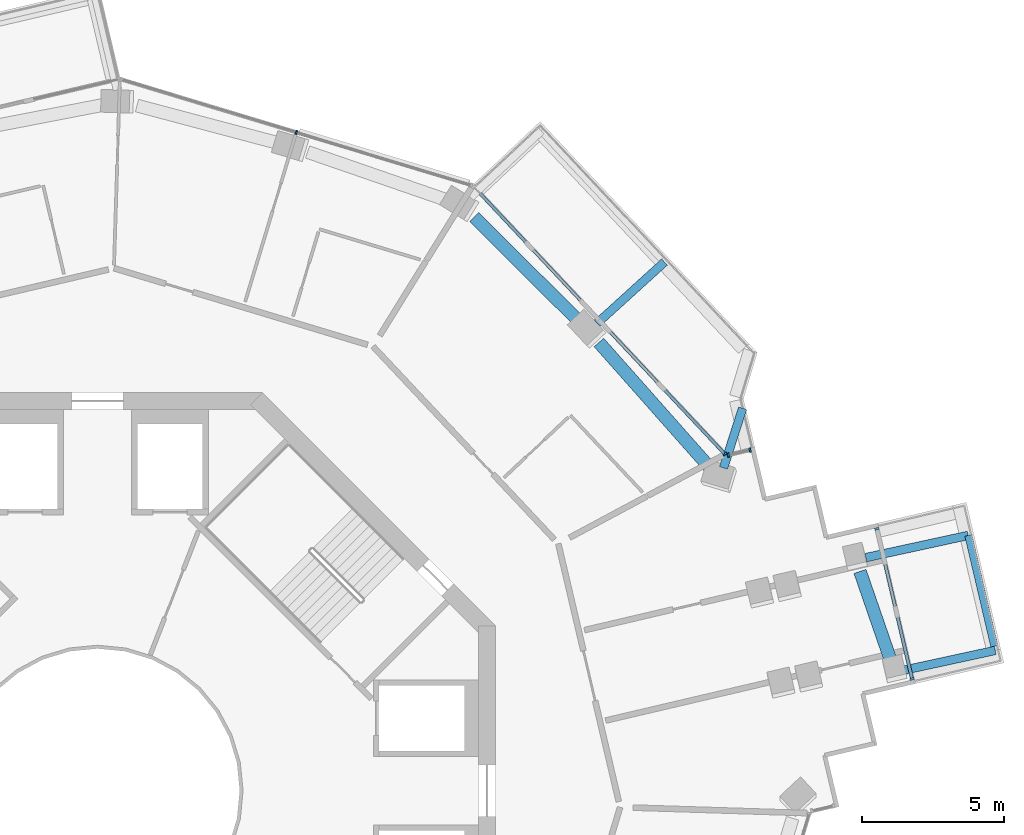
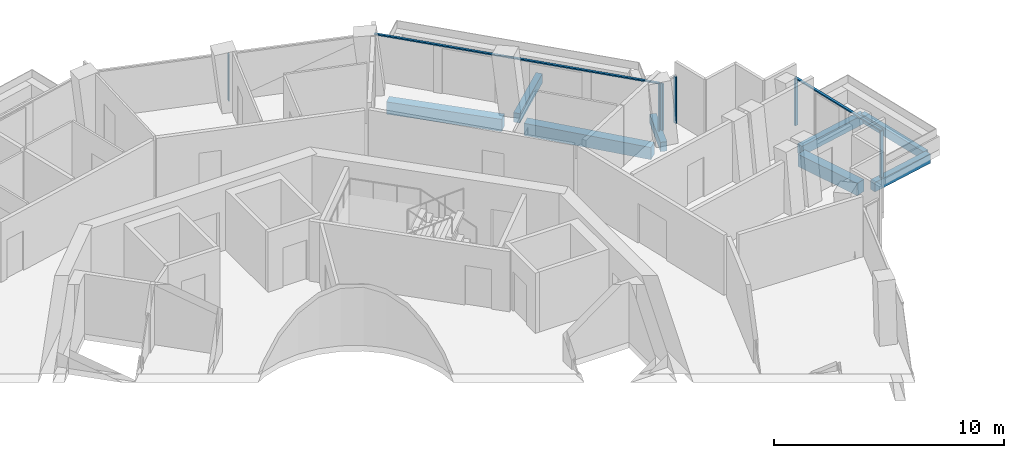
# One storey, part 9 of 24: 8 beams, 8 members, 4 elements without a shape of their own.
"""IFC4 building model written with IfcOpenShell, lengths in metres."""

from ifc_helpers import new_model, si_unit, direction, frame, origin, origin_2d, place, context, subcontext, project, spatial, rectangle, extrude, material, layer, layer_set, material_profile, profile_set, type_object, element, aggregate, save


model = new_model("IFC4")

# Units and contexts
model_context = context("Model", 3, precision=1e-05, world=origin(), true_north=direction((0.0, 1.0)))
body_context = subcontext(model_context, "Body", "Model", "MODEL_VIEW")
ifc_project = project(units=[si_unit("LENGTHUNIT", "METRE"), si_unit("AREAUNIT", "SQUARE_METRE"), si_unit("VOLUMEUNIT", "CUBIC_METRE"), si_unit("PLANEANGLEUNIT", "RADIAN"), si_unit("MASSUNIT", "GRAM", prefix="KILO")], contexts=[model_context])

# Site, building, storey
site_placement = place(None, origin())
site = spatial("IfcSite", under=ifc_project, at=site_placement, CompositionType="ELEMENT")
building_placement = place(site_placement, origin())
building = spatial("IfcBuilding", under=site, at=building_placement, Name="Verdalira Terraces Hotel", CompositionType="ELEMENT")
storey_placement = place(building_placement, frame((0.0, 0.0, 209.0)))
storey = spatial("IfcBuildingStorey", under=building, at=storey_placement, Name="L51", CompositionType="ELEMENT", Elevation=209.0)

# Beams
ifc_material_1 = material(Name="Concrete C40", Category="concrete")
ifc_material_profile_1 = material_profile(ifc_material_1, rectangle(XDim=0.300049, YDim=0.5, at=origin_2d()), Name="RC 300X500")
ifc_profile_set_1 = profile_set([ifc_material_profile_1], Name="Concrete C40")
beam_type_1 = type_object("IfcBeamType", Name="Balcony cantilever beam RC 300X500 C40", PredefinedType="BEAM", material=ifc_profile_set_1)
beam_1_placement = place(storey_placement, frame((28.38501, 4.246094, -0.560059), z_axis=(0.977265656, 0.212018482, 0.0), x_axis=(-0.212018482, 0.977265656, 0.0)))
element("IfcBeam", 1, at=beam_1_placement, inside=storey, type_object=beam_type_1, Name="Balcony cantilever beam R33-1", PredefinedType="BEAM", context=body_context, shape_type="SweptSolid", body=[
    extrude(rectangle(XDim=0.300049, YDim=0.5, at=origin_2d()), origin(), (0.0, 0.0, 1.0), 3.25415),
])
beam_2_placement = place(storey_placement, frame((27.012451, 8.197754, -0.560059), z_axis=(0.977263508, 0.212028383, 0.0), x_axis=(-0.212028383, 0.977263508, 0.0)))
element("IfcBeam", 2, at=beam_2_placement, inside=storey, type_object=beam_type_1, Name="Balcony cantilever beam R33-2", PredefinedType="BEAM", context=body_context, shape_type="SweptSolid", body=[
    extrude(rectangle(XDim=0.300049, YDim=0.5, at=origin_2d()), origin(), (0.0, 0.0, 1.0), 3.687988),
])
beam_3_placement = place(storey_placement, frame((17.566162, 16.438232, -0.560059), z_axis=(0.740305798, 0.672270277, 0.0), x_axis=(-0.672270277, 0.740305798, 0.0)))
element("IfcBeam", 3, at=beam_3_placement, inside=storey, type_object=beam_type_1, Name="Balcony cantilever beam R38-1", PredefinedType="BEAM", context=body_context, shape_type="SweptSolid", body=[
    extrude(rectangle(XDim=0.300049, YDim=0.5, at=origin_2d()), origin(), (0.0, 0.0, 1.0), 3.200928),
])
beam_4_placement = place(storey_placement, frame((22.010986, 11.35376, -0.560059), z_axis=(0.304936543, 0.952372671, 0.0), x_axis=(-0.952372671, 0.304936543, 0.0)))
element("IfcBeam", 4, at=beam_4_placement, inside=storey, type_object=beam_type_1, Name="Balcony cantilever beam R38-3", PredefinedType="BEAM", context=body_context, shape_type="SweptSolid", body=[
    extrude(rectangle(XDim=0.300049, YDim=0.5, at=origin_2d()), origin(), (0.0, 0.0, 1.0), 2.203369),
])
ifc_material_2 = material(Name="Concrete C40", Category="concrete")
ifc_material_profile_2 = material_profile(ifc_material_2, rectangle(XDim=0.25, YDim=0.449951, at=origin_2d()), Name="RC 250X450")
ifc_profile_set_2 = profile_set([ifc_material_profile_2], Name="Concrete C40")
beam_type_2 = type_object("IfcBeamType", Name="Balcony edge beam RC 250X450 C40", PredefinedType="BEAM", material=ifc_profile_set_2)
beam_5_placement = place(storey_placement, frame((31.531006, 5.082031, -0.534912), z_axis=(-0.228376479, 0.973572896, 0.0), x_axis=(-0.973572896, -0.228376479, 0.0)))
element("IfcBeam", 5, at=beam_5_placement, inside=storey, type_object=beam_type_2, Name="Balcony edge beam R33-1", PredefinedType="BEAM", context=body_context, shape_type="SweptSolid", body=[
    extrude(rectangle(XDim=0.25, YDim=0.449951, at=origin_2d()), origin(), (0.0, 0.0, 1.0), 4.003418),
])

# Curtain wall, member
ifc_material_3 = material(Name="Clear glass", Category="glass")
ifc_layer_1 = layer(ifc_material_3, 0.14990234375)
ifc_layer_set_1 = layer_set([ifc_layer_1], Name="CW1 curtain wall")
curtain_wall_type_1 = type_object("IfcCurtainWallType", Name="CW1 curtain wall", PredefinedType="NOTDEFINED", material=ifc_layer_set_1)
curtain_wall_1_placement = place(storey_placement, origin())
curtain_wall_1 = element("IfcCurtainWall", 6, at=curtain_wall_1_placement, inside=storey, type_object=curtain_wall_type_1, Name="CW1 curtain wall L51 edge 39", PredefinedType="NOTDEFINED")
ifc_material_4 = material(Name="Terracotta frame", Category="masonry")
ifc_material_profile_3 = material_profile(ifc_material_4, rectangle(XDim=0.060059, YDim=0.149902, at=origin_2d()), Name="MU 60x150")
ifc_profile_set_3 = profile_set([ifc_material_profile_3], Name="Terracotta frame")
member_type_1 = type_object("IfcMemberType", Name="CW1 mullion 60x150", PredefinedType="MULLION", material=ifc_profile_set_3)
member_1_placement = place(storey_placement, frame((22.057861, 11.838135, 0.0), z_axis=(0.0, 0.0, 1.0), x_axis=(-0.684547106, 0.728968627, 0.0)))
member_1 = element("IfcMember", 7, at=member_1_placement, type_object=member_type_1, Name="CW1 mullion", PredefinedType="MULLION", context=body_context, shape_type="SweptSolid", body=[
    extrude(rectangle(XDim=0.060059, YDim=0.149902, at=origin_2d()), origin(), (0.0, 0.0, 1.0), 2.475098),
])

curtain_wall_2_placement = place(storey_placement, origin())
curtain_wall_2 = element("IfcCurtainWall", 8, at=curtain_wall_2_placement, inside=storey, type_object=curtain_wall_type_1, Name="CW1 curtain wall L51 edge 40", PredefinedType="NOTDEFINED")
member_2_placement = place(storey_placement, frame((6.989746, 23.151123, 0.0), z_axis=(0.0, 0.0, 1.0), x_axis=(-0.957319498, 0.289031797, 0.0)))
member_2 = element("IfcMember", 9, at=member_2_placement, type_object=member_type_1, Name="CW1 mullion", PredefinedType="MULLION", context=body_context, shape_type="SweptSolid", body=[
    extrude(rectangle(XDim=0.060059, YDim=0.149902, at=origin_2d()), origin(), (0.0, 0.0, 1.0), 2.475098),
])
aggregate(curtain_wall_2, [member_2])

# Member
ifc_material_5 = material(Name="Terracotta frame", Category="masonry")
ifc_material_profile_4 = material_profile(ifc_material_5, rectangle(XDim=0.110107, YDim=0.064941, at=origin_2d()), Name="TR 65x110")
ifc_profile_set_4 = profile_set([ifc_material_profile_4], Name="Terracotta frame")
member_type_2 = type_object("IfcMemberType", Name="CW1 transom 65x110", PredefinedType="USERDEFINED", material=ifc_profile_set_4)
member_3_placement = place(storey_placement, frame((22.078369, 11.816406, 2.507568), z_axis=(-0.684547479, 0.728968277, 0.0), x_axis=(-0.728968277, -0.684547479, 0.0)))
member_3 = element("IfcMember", 10, at=member_3_placement, type_object=member_type_2, Name="CW1 transom", ObjectType="TRANSOM", PredefinedType="USERDEFINED", context=body_context, shape_type="SweptSolid", body=[
    extrude(rectangle(XDim=0.110107, YDim=0.064941, at=origin_2d()), origin(), (0.0, 0.0, 1.0), 12.959717),
])

aggregate(curtain_wall_1, [member_1, member_3])

# Curtain wall, members
ifc_material_6 = material(Name="Clear glass", Category="glass")
ifc_layer_2 = layer(ifc_material_6, 0.14990234375)
ifc_layer_set_2 = layer_set([ifc_layer_2], Name="CW2 curtain wall")
curtain_wall_type_2 = type_object("IfcCurtainWallType", Name="CW2 curtain wall", PredefinedType="NOTDEFINED", material=ifc_layer_set_2)
curtain_wall_3_placement = place(storey_placement, origin())
curtain_wall_3 = element("IfcCurtainWall", 11, at=curtain_wall_3_placement, inside=storey, type_object=curtain_wall_type_2, Name="CW2 curtain wall L51 edge 38", PredefinedType="NOTDEFINED")
ifc_material_7 = material(Name="Terracotta frame", Category="masonry")
ifc_material_profile_5 = material_profile(ifc_material_7, rectangle(XDim=0.070068, YDim=0.149902, at=origin_2d()), Name="MU 70x150")
ifc_profile_set_5 = profile_set([ifc_material_profile_5], Name="Terracotta frame")
member_type_3 = type_object("IfcMemberType", Name="CW2 mullion 70x150", PredefinedType="MULLION", material=ifc_profile_set_5)
member_4_placement = place(storey_placement, frame((22.943604, 11.980713, 0.0), z_axis=(0.0, 0.0, 1.0), x_axis=(-0.973578903, -0.22835087, 0.0)))
member_4 = element("IfcMember", 12, at=member_4_placement, type_object=member_type_3, Name="CW2 mullion", PredefinedType="MULLION", context=body_context, shape_type="SweptSolid", body=[
    extrude(rectangle(XDim=0.070068, YDim=0.149902, at=origin_2d()), origin(), (0.0, 0.0, 1.0), 2.475098),
])
member_5_placement = place(storey_placement, frame((22.184326, 11.802734, 0.0), z_axis=(0.0, 0.0, 1.0), x_axis=(-0.973578903, -0.22835087, 0.0)))
member_5 = element("IfcMember", 13, at=member_5_placement, type_object=member_type_3, Name="CW2 mullion", PredefinedType="MULLION", context=body_context, shape_type="SweptSolid", body=[
    extrude(rectangle(XDim=0.070068, YDim=0.149902, at=origin_2d()), origin(), (0.0, 0.0, 1.0), 2.475098),
])
aggregate(curtain_wall_3, [member_4, member_5])

ifc_material_8 = material(Name="Clear glass", Category="glass")
ifc_layer_3 = layer(ifc_material_8, 0.14990234375)
ifc_layer_set_3 = layer_set([ifc_layer_3], Name="CW3 curtain wall")
curtain_wall_type_3 = type_object("IfcCurtainWallType", Name="CW3 curtain wall", PredefinedType="NOTDEFINED", material=ifc_layer_set_3)
curtain_wall_4_placement = place(storey_placement, origin())
curtain_wall_4 = element("IfcCurtainWall", 14, at=curtain_wall_4_placement, inside=storey, type_object=curtain_wall_type_3, Name="CW3 curtain wall L51 edge 33", PredefinedType="NOTDEFINED")
ifc_material_9 = material(Name="Terracotta frame", Category="masonry")
ifc_material_profile_6 = material_profile(ifc_material_9, rectangle(XDim=0.080078, YDim=0.149902, at=origin_2d()), Name="MU 80x150")
ifc_profile_set_6 = profile_set([ifc_material_profile_6], Name="Terracotta frame")
member_type_4 = type_object("IfcMemberType", Name="CW3 mullion 80x150", PredefinedType="MULLION", material=ifc_profile_set_6)
member_6_placement = place(storey_placement, frame((28.641602, 3.934326, 0.0), z_axis=(0.0, 0.0, 1.0), x_axis=(-0.22835087, 0.973578903, 0.0)))
member_6 = element("IfcMember", 15, at=member_6_placement, type_object=member_type_4, Name="CW3 mullion", PredefinedType="MULLION", context=body_context, shape_type="SweptSolid", body=[
    extrude(rectangle(XDim=0.080078, YDim=0.149902, at=origin_2d()), origin(), (0.0, 0.0, 1.0), 2.475098),
])
member_7_placement = place(storey_placement, frame((27.404053, 9.211182, 0.0), z_axis=(0.0, 0.0, 1.0), x_axis=(-0.22835087, 0.973578903, 0.0)))
member_7 = element("IfcMember", 16, at=member_7_placement, type_object=member_type_4, Name="CW3 mullion", PredefinedType="MULLION", context=body_context, shape_type="SweptSolid", body=[
    extrude(rectangle(XDim=0.080078, YDim=0.149902, at=origin_2d()), origin(), (0.0, 0.0, 1.0), 2.475098),
])
ifc_material_10 = material(Name="Terracotta frame", Category="masonry")
ifc_material_profile_7 = material_profile(ifc_material_10, rectangle(XDim=0.120117, YDim=0.064941, at=origin_2d()), Name="TR 65x120")
ifc_profile_set_7 = profile_set([ifc_material_profile_7], Name="Terracotta frame")
member_type_5 = type_object("IfcMemberType", Name="CW3 transom 65x120", PredefinedType="USERDEFINED", material=ifc_profile_set_7)
member_8_placement = place(storey_placement, frame((28.650879, 3.895264, 2.507568), z_axis=(-0.228378693, 0.973572377, 0.0), x_axis=(-0.973572377, -0.228378693, 0.0)))
member_8 = element("IfcMember", 17, at=member_8_placement, type_object=member_type_5, Name="CW3 transom", ObjectType="TRANSOM", PredefinedType="USERDEFINED", context=body_context, shape_type="SweptSolid", body=[
    extrude(rectangle(XDim=0.120117, YDim=0.064941, at=origin_2d()), origin(), (0.0, 0.0, 1.0), 5.5),
])
aggregate(curtain_wall_4, [member_6, member_7, member_8])

# Beams
ifc_material_11 = material(Name="Concrete C50", Category="concrete")
ifc_material_profile_8 = material_profile(ifc_material_11, rectangle(XDim=0.449951, YDim=0.649902, at=origin_2d()), Name="RC 450X650")
ifc_profile_set_8 = profile_set([ifc_material_profile_8], Name="Concrete C50")
beam_type_3 = type_object("IfcBeamType", Name="Spandrel beam RC 450X650 C50", PredefinedType="SPANDREL", material=ifc_profile_set_8)
beam_6_placement = place(storey_placement, frame((27.921875, 4.496094, -0.63501), z_axis=(-0.326620419, 0.945155597, 0.0), x_axis=(-0.945155597, -0.326620419, 0.0)))
element("IfcBeam", 18, at=beam_6_placement, inside=storey, type_object=beam_type_3, Name="Spandrel beam B17", PredefinedType="SPANDREL", context=body_context, shape_type="SweptSolid", body=[
    extrude(rectangle(XDim=0.449951, YDim=0.649902, at=origin_2d()), origin(), (0.0, 0.0, 1.0), 3.404785),
])
beam_7_placement = place(storey_placement, frame((21.485107, 11.41333, -0.63501), z_axis=(-0.663150888, 0.748485738, 0.0), x_axis=(-0.748485738, -0.663150888, 0.0)))
element("IfcBeam", 19, at=beam_7_placement, inside=storey, type_object=beam_type_3, Name="Spandrel beam B18", PredefinedType="SPANDREL", context=body_context, shape_type="SweptSolid", body=[
    extrude(rectangle(XDim=0.449951, YDim=0.649902, at=origin_2d()), origin(), (0.0, 0.0, 1.0), 5.813477),
])
beam_8_placement = place(storey_placement, frame((16.926758, 16.508789, -0.63501), z_axis=(-0.708610659, 0.705599698, 0.0), x_axis=(-0.705599698, -0.708610659, 0.0)))
element("IfcBeam", 20, at=beam_8_placement, inside=storey, type_object=beam_type_3, Name="Spandrel beam B19", PredefinedType="SPANDREL", context=body_context, shape_type="SweptSolid", body=[
    extrude(rectangle(XDim=0.449951, YDim=0.649902, at=origin_2d()), origin(), (0.0, 0.0, 1.0), 5.189453),
])

save(model, "model.ifc")
